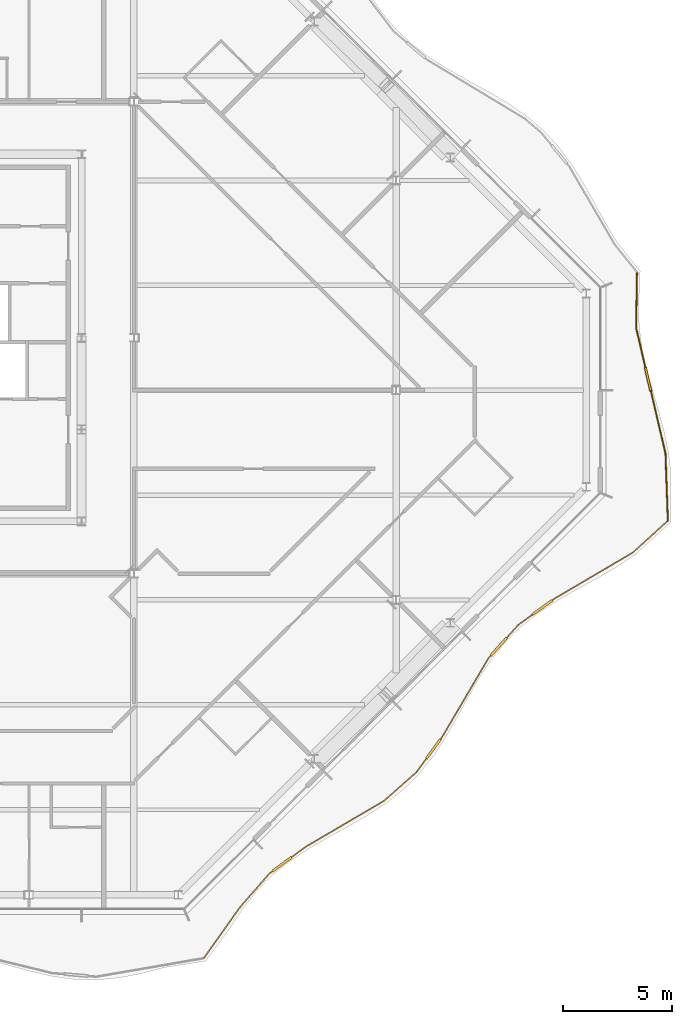
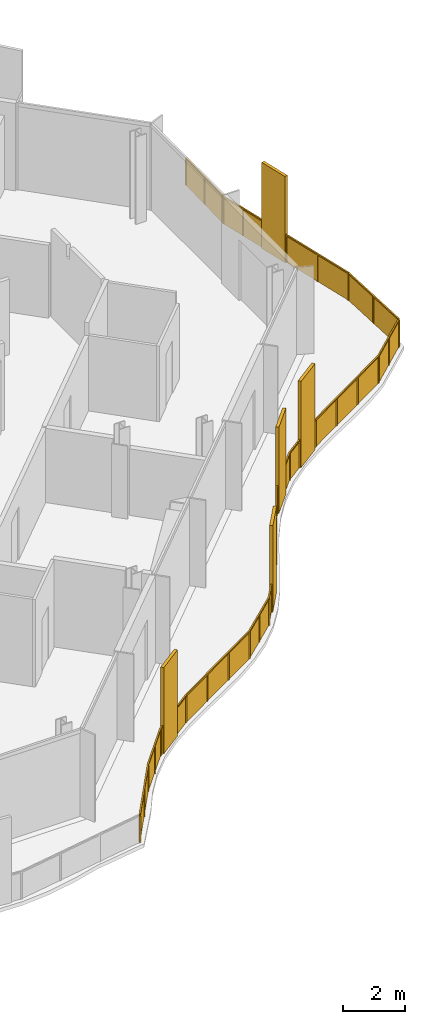
# One storey, part 15 of 17: 2 railings.
"""IFC4 building model written with IfcOpenShell, lengths in metres."""

from ifc_helpers import new_model, si_unit, direction, frame, origin, origin_2d, place, context, subcontext, project, spatial, polyline, rectangle, outline, extrude, material, type_object, element, save


model = new_model("IFC4")

# Units and contexts
model_context = context("Model", 3, precision=1e-05, world=origin(), true_north=direction((0.0, 1.0)))
body_context = subcontext(model_context, "Body", "Model", "MODEL_VIEW")
ifc_project = project(units=[si_unit("LENGTHUNIT", "METRE"), si_unit("AREAUNIT", "SQUARE_METRE"), si_unit("VOLUMEUNIT", "CUBIC_METRE"), si_unit("PLANEANGLEUNIT", "RADIAN"), si_unit("MASSUNIT", "GRAM", prefix="KILO")], contexts=[model_context])

# Site, building, storey
site_placement = place(None, origin())
site = spatial("IfcSite", under=ifc_project, at=site_placement, CompositionType="ELEMENT")
building_placement = place(site_placement, origin())
building = spatial("IfcBuilding", under=site, at=building_placement, Name="Cairn Pilgrim Tower", CompositionType="ELEMENT")
storey_placement = place(building_placement, frame((0.0, 0.0, 270.60009765625)))
storey = spatial("IfcBuildingStorey", under=building, at=storey_placement, Name="L69", CompositionType="ELEMENT", Elevation=270.60009765625)

# Railings
ifc_material = material(Name="Bronze anodised aluminium rail, posts and fin screens with laminated glass infill", Category="aluminium")
railing_type = type_object("IfcRailingType", Name="BALCONY GUARD WITH FIN SCREENS", PredefinedType="GUARDRAIL", material=ifc_material)
railing_1_placement = place(storey_placement, frame((22.39697265625, -25.995361328125, 0.0)))
element("IfcRailing", 1, at=railing_1_placement, inside=storey, type_object=railing_type, Name="Balcony guard BGF-1 with fin screens", PredefinedType="GUARDRAIL", context=body_context, shape_type="SweptSolid", body=[
    extrude(rectangle(XDim=0.050048828125, YDim=0.050048828125, at=origin_2d()), frame((0.0, 0.0, 1.0751953125), z_axis=(0.578783354329, 0.815481347887, 0.0), x_axis=(-0.815481347887, 0.578783354329, 0.0)), (0.0, 0.0, 1.0), 2.8818359375),
    extrude(rectangle(XDim=0.050048828125, YDim=0.050048828125, at=origin_2d()), frame((1.66796875, 2.35009765625, 1.0751953125), z_axis=(0.659647849756, 0.75157482283, 0.0), x_axis=(-0.75157482283, 0.659647849756, 0.0)), (0.0, 0.0, 1.0), 2.03955078125),
    extrude(rectangle(XDim=1.10009765625, YDim=0.110107421875, at=origin_2d()), frame((3.577392578125, 4.2978515625, 0.0), z_axis=(0.0, 0.0, 1.0), x_axis=(0.805684303803, 0.592345171842, 0.0)), (0.0, 0.0, 1.0), 3.39990234375),
    extrude(rectangle(XDim=0.050048828125, YDim=0.050048828125, at=origin_2d()), frame((3.013427734375, 3.883056640625, 1.0751953125), z_axis=(0.805684303803, 0.592345171842, 0.0), x_axis=(-0.592345171842, 0.805684303803, 0.0)), (0.0, 0.0, 1.0), 0.150146484375),
    extrude(rectangle(XDim=0.050048828125, YDim=0.050048828125, at=origin_2d()), frame((4.0205078125, 4.62353515625, 1.0751953125), z_axis=(0.805684303803, 0.592345171842, 0.0), x_axis=(-0.592345171842, 0.805684303803, 0.0)), (0.0, 0.0, 1.0), 0.80859375),
    extrude(rectangle(XDim=0.050048828125, YDim=0.050048828125, at=origin_2d()), frame((4.672119140625, 5.1025390625, 1.0751953125), z_axis=(0.862665224237, 0.505775356153, 0.0), x_axis=(-0.505775356153, 0.862665224237, 0.0)), (0.0, 0.0, 1.0), 4.150390625),
    extrude(rectangle(XDim=0.050048828125, YDim=0.050048828125, at=origin_2d()), frame((8.25244140625, 7.20166015625, 1.0751953125), z_axis=(0.748284466203, 0.663377990018, 0.0), x_axis=(-0.663377990018, 0.748284466203, 0.0)), (0.0, 0.0, 1.0), 1.984130859375),
    extrude(rectangle(XDim=1.10009765625, YDim=0.110107421875, at=origin_2d()), frame((10.510009765625, 9.578369140625, 0.0), z_axis=(0.0, 0.0, 1.0), x_axis=(0.588936142076, 0.808179571975, 0.0)), (0.0, 0.0, 1.0), 3.39990234375),
    extrude(rectangle(XDim=0.050048828125, YDim=0.050048828125, at=origin_2d()), frame((9.737060546875, 8.517822265625, 1.0751953125), z_axis=(0.588936142076, 0.808179571975, 0.0), x_axis=(-0.808179571975, 0.588936142076, 0.0)), (0.0, 0.0, 1.0), 0.762451171875),
    extrude(rectangle(XDim=0.050048828125, YDim=0.050048828125, at=origin_2d()), frame((10.833984375, 10.02294921875, 1.0751953125), z_axis=(0.588936142076, 0.808179571975, 0.0), x_axis=(-0.808179571975, 0.588936142076, 0.0)), (0.0, 0.0, 1.0), 0.14990234375),
    extrude(rectangle(XDim=0.050048828125, YDim=0.050048828125, at=origin_2d()), frame((10.922119140625, 10.14404296875, 1.0751953125), z_axis=(0.506471677484, 0.862256597485, 0.0), x_axis=(-0.862256597485, 0.506471677484, 0.0)), (0.0, 0.0, 1.0), 4.163818359375),
    extrude(rectangle(XDim=1.10009765625, YDim=0.110107421875, at=origin_2d()), frame((13.498046875, 14.256103515625, 0.0), z_axis=(0.0, 0.0, 1.0), x_axis=(0.667129688125, 0.744941594504, 0.0)), (0.0, 0.0, 1.0), 3.39990234375),
    extrude(rectangle(XDim=0.050048828125, YDim=0.050048828125, at=origin_2d()), frame((13.031005859375, 13.734375, 1.0751953125), z_axis=(0.667129688125, 0.744941594504, 0.0), x_axis=(-0.744941594504, 0.667129688125, 0.0)), (0.0, 0.0, 1.0), 0.150146484375),
    extrude(rectangle(XDim=0.050048828125, YDim=0.050048828125, at=origin_2d()), frame((13.864990234375, 14.665771484375, 1.0751953125), z_axis=(0.667129688125, 0.744941594504, 0.0), x_axis=(-0.744941594504, 0.667129688125, 0.0)), (0.0, 0.0, 1.0), 0.79541015625),
    extrude(rectangle(XDim=1.10009765625, YDim=0.110107421875, at=origin_2d()), frame((15.49853515625, 16.054931640625, 0.0), z_axis=(0.0, 0.0, 1.0), x_axis=(0.810607357659, 0.585590054312, 0.0)), (0.0, 0.0, 1.0), 3.39990234375),
    extrude(rectangle(XDim=0.050048828125, YDim=0.050048828125, at=origin_2d()), frame((14.395751953125, 15.25830078125, 1.0751953125), z_axis=(0.810607357659, 0.585590054312, 0.0), x_axis=(-0.585590054312, 0.810607357659, 0.0)), (0.0, 0.0, 1.0), 0.810546875),
    extrude(rectangle(XDim=0.050048828125, YDim=0.050048828125, at=origin_2d()), frame((15.9443359375, 16.377197265625, 1.0751953125), z_axis=(0.810607357659, 0.585590054312, 0.0), x_axis=(-0.585590054312, 0.810607357659, 0.0)), (0.0, 0.0, 1.0), 0.14990234375),
    extrude(rectangle(XDim=0.050048828125, YDim=0.050048828125, at=origin_2d()), frame((16.06591796875, 16.46484375, 1.0751953125), z_axis=(0.861810091445, 0.507231077798, 0.0), x_axis=(-0.507231077798, 0.861810091445, 0.0)), (0.0, 0.0, 1.0), 4.14697265625),
    extrude(rectangle(XDim=0.050048828125, YDim=0.050048828125, at=origin_2d()), frame((19.639892578125, 18.568359375, 1.0751953125), z_axis=(0.740055733215, 0.672545546216, 0.0), x_axis=(-0.672545546216, 0.740055733215, 0.0)), (0.0, 0.0, 1.0), 2.10107421875),
    extrude(rectangle(XDim=0.050048828125, YDim=0.050048828125, at=origin_2d()), origin(), (0.0, 0.0, 1.0), 1.050048828125),
    extrude(rectangle(XDim=0.050048828125, YDim=0.050048828125, at=origin_2d()), frame((0.833984375, 1.175048828125, 0.0)), (0.0, 0.0, 1.0), 1.050048828125),
    extrude(rectangle(XDim=0.050048828125, YDim=0.050048828125, at=origin_2d()), frame((1.66796875, 2.35009765625, 0.0)), (0.0, 0.0, 1.0), 1.050048828125),
    extrude(rectangle(XDim=0.050048828125, YDim=0.050048828125, at=origin_2d()), frame((2.3408203125, 3.11669921875, 0.0)), (0.0, 0.0, 1.0), 1.050048828125),
    extrude(rectangle(XDim=0.050048828125, YDim=0.050048828125, at=origin_2d()), frame((3.013427734375, 3.883056640625, 0.0)), (0.0, 0.0, 1.0), 1.050048828125),
    extrude(rectangle(XDim=0.050048828125, YDim=0.050048828125, at=origin_2d()), frame((3.1142578125, 3.95703125, 0.0)), (0.0, 0.0, 1.0), 1.050048828125),
    extrude(rectangle(XDim=0.050048828125, YDim=0.050048828125, at=origin_2d()), frame((4.040771484375, 4.638427734375, 0.0)), (0.0, 0.0, 1.0), 1.050048828125),
    extrude(rectangle(XDim=0.050048828125, YDim=0.050048828125, at=origin_2d()), frame((4.672119140625, 5.1025390625, 0.0)), (0.0, 0.0, 1.0), 1.050048828125),
    extrude(rectangle(XDim=0.050048828125, YDim=0.050048828125, at=origin_2d()), frame((5.865478515625, 5.80224609375, 0.0)), (0.0, 0.0, 1.0), 1.050048828125),
    extrude(rectangle(XDim=0.050048828125, YDim=0.050048828125, at=origin_2d()), frame((7.05908203125, 6.501953125, 0.0)), (0.0, 0.0, 1.0), 1.050048828125),
    extrude(rectangle(XDim=0.050048828125, YDim=0.050048828125, at=origin_2d()), frame((8.25244140625, 7.20166015625, 0.0)), (0.0, 0.0, 1.0), 1.050048828125),
    extrude(rectangle(XDim=0.050048828125, YDim=0.050048828125, at=origin_2d()), frame((8.99462890625, 7.85986328125, 0.0)), (0.0, 0.0, 1.0), 1.050048828125),
    extrude(rectangle(XDim=0.050048828125, YDim=0.050048828125, at=origin_2d()), frame((9.737060546875, 8.517822265625, 0.0)), (0.0, 0.0, 1.0), 1.050048828125),
    extrude(rectangle(XDim=0.050048828125, YDim=0.050048828125, at=origin_2d()), frame((10.17138671875, 9.11376953125, 0.0)), (0.0, 0.0, 1.0), 1.050048828125),
    extrude(rectangle(XDim=0.050048828125, YDim=0.050048828125, at=origin_2d()), frame((10.8486328125, 10.043212890625, 0.0)), (0.0, 0.0, 1.0), 1.050048828125),
    extrude(rectangle(XDim=0.050048828125, YDim=0.050048828125, at=origin_2d()), frame((10.922119140625, 10.14404296875, 0.0)), (0.0, 0.0, 1.0), 1.050048828125),
    extrude(rectangle(XDim=0.050048828125, YDim=0.050048828125, at=origin_2d()), frame((11.625, 11.3408203125, 0.0)), (0.0, 0.0, 1.0), 1.050048828125),
    extrude(rectangle(XDim=0.050048828125, YDim=0.050048828125, at=origin_2d()), frame((12.328125, 12.53759765625, 0.0)), (0.0, 0.0, 1.0), 1.050048828125),
    extrude(rectangle(XDim=0.050048828125, YDim=0.050048828125, at=origin_2d()), frame((13.031005859375, 13.734375, 0.0)), (0.0, 0.0, 1.0), 1.050048828125),
    extrude(rectangle(XDim=0.050048828125, YDim=0.050048828125, at=origin_2d()), frame((13.114501953125, 13.82763671875, 0.0)), (0.0, 0.0, 1.0), 1.050048828125),
    extrude(rectangle(XDim=0.050048828125, YDim=0.050048828125, at=origin_2d()), frame((13.8818359375, 14.684326171875, 0.0)), (0.0, 0.0, 1.0), 1.050048828125),
    extrude(rectangle(XDim=0.050048828125, YDim=0.050048828125, at=origin_2d()), frame((14.395751953125, 15.25830078125, 0.0)), (0.0, 0.0, 1.0), 1.050048828125),
    extrude(rectangle(XDim=0.050048828125, YDim=0.050048828125, at=origin_2d()), frame((15.032470703125, 15.71826171875, 0.0)), (0.0, 0.0, 1.0), 1.050048828125),
    extrude(rectangle(XDim=0.050048828125, YDim=0.050048828125, at=origin_2d()), frame((15.96484375, 16.391845703125, 0.0)), (0.0, 0.0, 1.0), 1.050048828125),
    extrude(rectangle(XDim=0.050048828125, YDim=0.050048828125, at=origin_2d()), frame((16.06591796875, 16.46484375, 0.0)), (0.0, 0.0, 1.0), 1.050048828125),
    extrude(rectangle(XDim=0.050048828125, YDim=0.050048828125, at=origin_2d()), frame((17.25732421875, 17.166015625, 0.0)), (0.0, 0.0, 1.0), 1.050048828125),
    extrude(rectangle(XDim=0.050048828125, YDim=0.050048828125, at=origin_2d()), frame((18.448486328125, 17.8671875, 0.0)), (0.0, 0.0, 1.0), 1.050048828125),
    extrude(rectangle(XDim=0.050048828125, YDim=0.050048828125, at=origin_2d()), frame((19.639892578125, 18.568359375, 0.0)), (0.0, 0.0, 1.0), 1.050048828125),
    extrude(rectangle(XDim=0.050048828125, YDim=0.050048828125, at=origin_2d()), frame((20.41748046875, 19.27490234375, 0.0)), (0.0, 0.0, 1.0), 1.050048828125),
    extrude(rectangle(XDim=0.050048828125, YDim=0.050048828125, at=origin_2d()), frame((21.19482421875, 19.9814453125, 0.0)), (0.0, 0.0, 1.0), 1.050048828125),
    extrude(outline(polyline([(0.02490234375, 0.0), (1.416015625, 0.0), (1.416015625, 1.050048828125), (0.02490234375, 1.050048828125), (0.02490234375, 0.0)])), frame((-0.0048828125, 0.00341796875, 0.0), z_axis=(0.815481347887, -0.578783354329, 0.0), x_axis=(0.578783354329, 0.815481347887, 0.0)), (0.0, 0.0, 1.0), 0.011962890625),
    extrude(outline(polyline([(0.02490234375, 0.0), (1.416015625, 0.0), (1.416015625, 1.050048828125), (0.02490234375, 1.050048828125), (0.02490234375, 0.0)])), frame((0.8291015625, 1.178466796875, 0.0), z_axis=(0.815481347887, -0.578783354329, 0.0), x_axis=(0.578783354329, 0.815481347887, 0.0)), (0.0, 0.0, 1.0), 0.011962890625),
    extrude(outline(polyline([(0.02490234375, 0.0), (0.994873046875, 0.0), (0.994873046875, 1.050048828125), (0.02490234375, 1.050048828125), (0.02490234375, 0.0)])), frame((1.66357421875, 2.35400390625, 0.0), z_axis=(0.75157482283, -0.659647849756, 0.0), x_axis=(0.659647849756, 0.75157482283, 0.0)), (0.0, 0.0, 1.0), 0.011962890625),
    extrude(outline(polyline([(0.02490234375, 0.0), (0.994873046875, 0.0), (0.994873046875, 1.050048828125), (0.02490234375, 1.050048828125), (0.02490234375, 0.0)])), frame((2.336181640625, 3.12060546875, 0.0), z_axis=(0.75157482283, -0.659647849756, 0.0), x_axis=(0.659647849756, 0.75157482283, 0.0)), (0.0, 0.0, 1.0), 0.011962890625),
    extrude(outline(polyline([(0.02490234375, 0.0), (0.10009765625, 0.0), (0.10009765625, 1.050048828125), (0.02490234375, 1.050048828125), (0.02490234375, 0.0)])), frame((3.009765625, 3.887939453125, 0.0), z_axis=(0.592345171842, -0.805684303803, 0.0), x_axis=(0.805684303803, 0.592345171842, 0.0)), (0.0, 0.0, 1.0), 0.011962890625),
    extrude(outline(polyline([(0.02490234375, 0.0), (0.758544921875, 0.0), (0.758544921875, 1.050048828125), (0.02490234375, 1.050048828125), (0.02490234375, 0.0)])), frame((4.037109375, 4.64306640625, 0.0), z_axis=(0.592345171842, -0.805684303803, 0.0), x_axis=(0.805684303803, 0.592345171842, 0.0)), (0.0, 0.0, 1.0), 0.011962890625),
    extrude(outline(polyline([(0.02490234375, 0.0), (1.3583984375, 0.0), (1.3583984375, 1.050048828125), (0.02490234375, 1.050048828125), (0.02490234375, 0.0)])), frame((4.669189453125, 5.107666015625, 0.0), z_axis=(0.505775356153, -0.862665224237, 0.0), x_axis=(0.862665224237, 0.505775356153, 0.0)), (0.0, 0.0, 1.0), 0.011962890625),
    extrude(outline(polyline([(0.02490234375, 0.0), (1.3583984375, 0.0), (1.3583984375, 1.050048828125), (0.02490234375, 1.050048828125), (0.02490234375, 0.0)])), frame((5.862548828125, 5.807373046875, 0.0), z_axis=(0.505775356153, -0.862665224237, 0.0), x_axis=(0.862665224237, 0.505775356153, 0.0)), (0.0, 0.0, 1.0), 0.011962890625),
    extrude(outline(polyline([(0.02490234375, 0.0), (1.3583984375, 0.0), (1.3583984375, 1.050048828125), (0.02490234375, 1.050048828125), (0.02490234375, 0.0)])), frame((7.055908203125, 6.507080078125, 0.0), z_axis=(0.505775356153, -0.862665224237, 0.0), x_axis=(0.862665224237, 0.505775356153, 0.0)), (0.0, 0.0, 1.0), 0.011962890625),
    extrude(outline(polyline([(0.02490234375, 0.0), (0.967041015625, 0.0), (0.967041015625, 1.050048828125), (0.02490234375, 1.050048828125), (0.02490234375, 0.0)])), frame((8.24853515625, 7.2060546875, 0.0), z_axis=(0.663377990018, -0.748284466203, 0.0), x_axis=(0.748284466203, 0.663377990018, 0.0)), (0.0, 0.0, 1.0), 0.011962890625),
    extrude(outline(polyline([(0.02490234375, 0.0), (0.967041015625, 0.0), (0.967041015625, 1.050048828125), (0.02490234375, 1.050048828125), (0.02490234375, 0.0)])), frame((8.99072265625, 7.8642578125, 0.0), z_axis=(0.663377990018, -0.748284466203, 0.0), x_axis=(0.748284466203, 0.663377990018, 0.0)), (0.0, 0.0, 1.0), 0.011962890625),
    extrude(outline(polyline([(0.02490234375, 0.0), (0.71240234375, 0.0), (0.71240234375, 1.050048828125), (0.02490234375, 1.050048828125), (0.02490234375, 0.0)])), frame((9.732177734375, 8.521240234375, 0.0), z_axis=(0.808179571975, -0.588936142076, 0.0), x_axis=(0.588936142076, 0.808179571975, 0.0)), (0.0, 0.0, 1.0), 0.011962890625),
    extrude(outline(polyline([(0.02490234375, 0.0), (0.099853515625, 0.0), (0.099853515625, 1.050048828125), (0.02490234375, 1.050048828125), (0.02490234375, 0.0)])), frame((10.84375, 10.046630859375, 0.0), z_axis=(0.808179571975, -0.588936142076, 0.0), x_axis=(0.588936142076, 0.808179571975, 0.0)), (0.0, 0.0, 1.0), 0.011962890625),
    extrude(outline(polyline([(0.02490234375, 0.0), (1.363037109375, 0.0), (1.363037109375, 1.050048828125), (0.02490234375, 1.050048828125), (0.02490234375, 0.0)])), frame((10.9169921875, 10.14697265625, 0.0), z_axis=(0.862256597485, -0.506471677484, 0.0), x_axis=(0.506471677484, 0.862256597485, 0.0)), (0.0, 0.0, 1.0), 0.011962890625),
    extrude(outline(polyline([(0.02490234375, 0.0), (1.363037109375, 0.0), (1.363037109375, 1.050048828125), (0.02490234375, 1.050048828125), (0.02490234375, 0.0)])), frame((11.619873046875, 11.34375, 0.0), z_axis=(0.862256597485, -0.506471677484, 0.0), x_axis=(0.506471677484, 0.862256597485, 0.0)), (0.0, 0.0, 1.0), 0.011962890625),
    extrude(outline(polyline([(0.02490234375, 0.0), (1.363037109375, 0.0), (1.363037109375, 1.050048828125), (0.02490234375, 1.050048828125), (0.02490234375, 0.0)])), frame((12.322998046875, 12.54052734375, 0.0), z_axis=(0.862256597485, -0.506471677484, 0.0), x_axis=(0.506471677484, 0.862256597485, 0.0)), (0.0, 0.0, 1.0), 0.011962890625),
    extrude(outline(polyline([(0.02490234375, 0.0), (0.10009765625, 0.0), (0.10009765625, 1.050048828125), (0.02490234375, 1.050048828125), (0.02490234375, 0.0)])), frame((13.026611328125, 13.73828125, 0.0), z_axis=(0.744941594504, -0.667129688125, 0.0), x_axis=(0.667129688125, 0.744941594504, 0.0)), (0.0, 0.0, 1.0), 0.011962890625),
    extrude(outline(polyline([(0.02490234375, 0.0), (0.745361328125, 0.0), (0.745361328125, 1.050048828125), (0.02490234375, 1.050048828125), (0.02490234375, 0.0)])), frame((13.877197265625, 14.6884765625, 0.0), z_axis=(0.744941594504, -0.667129688125, 0.0), x_axis=(0.667129688125, 0.744941594504, 0.0)), (0.0, 0.0, 1.0), 0.011962890625),
    extrude(outline(polyline([(0.02490234375, 0.0), (0.760498046875, 0.0), (0.760498046875, 1.050048828125), (0.02490234375, 1.050048828125), (0.02490234375, 0.0)])), frame((14.392333984375, 15.26318359375, 0.0), z_axis=(0.585590054312, -0.810607357659, 0.0), x_axis=(0.810607357659, 0.585590054312, 0.0)), (0.0, 0.0, 1.0), 0.011962890625),
    extrude(outline(polyline([(0.02490234375, 0.0), (0.099853515625, 0.0), (0.099853515625, 1.050048828125), (0.02490234375, 1.050048828125), (0.02490234375, 0.0)])), frame((15.961181640625, 16.396484375, 0.0), z_axis=(0.585590054312, -0.810607357659, 0.0), x_axis=(0.810607357659, 0.585590054312, 0.0)), (0.0, 0.0, 1.0), 0.011962890625),
    extrude(outline(polyline([(0.02490234375, 0.0), (1.357421875, 0.0), (1.357421875, 1.050048828125), (0.02490234375, 1.050048828125), (0.02490234375, 0.0)])), frame((16.06298828125, 16.469970703125, 0.0), z_axis=(0.507231077798, -0.861810091445, 0.0), x_axis=(0.861810091445, 0.507231077798, 0.0)), (0.0, 0.0, 1.0), 0.011962890625),
    extrude(outline(polyline([(0.02490234375, 0.0), (1.357421875, 0.0), (1.357421875, 1.050048828125), (0.02490234375, 1.050048828125), (0.02490234375, 0.0)])), frame((17.254150390625, 17.171142578125, 0.0), z_axis=(0.507231077798, -0.861810091445, 0.0), x_axis=(0.861810091445, 0.507231077798, 0.0)), (0.0, 0.0, 1.0), 0.011962890625),
    extrude(outline(polyline([(0.02490234375, 0.0), (1.357421875, 0.0), (1.357421875, 1.050048828125), (0.02490234375, 1.050048828125), (0.02490234375, 0.0)])), frame((18.445556640625, 17.872314453125, 0.0), z_axis=(0.507231077798, -0.861810091445, 0.0), x_axis=(0.861810091445, 0.507231077798, 0.0)), (0.0, 0.0, 1.0), 0.011962890625),
    extrude(outline(polyline([(0.02490234375, 0.0), (1.025634765625, 0.0), (1.025634765625, 1.050048828125), (0.02490234375, 1.050048828125), (0.02490234375, 0.0)])), frame((19.635986328125, 18.57275390625, 0.0), z_axis=(0.672545546216, -0.740055733215, 0.0), x_axis=(0.740055733215, 0.672545546216, 0.0)), (0.0, 0.0, 1.0), 0.011962890625),
    extrude(outline(polyline([(0.02490234375, 0.0), (1.025634765625, 0.0), (1.025634765625, 1.050048828125), (0.02490234375, 1.050048828125), (0.02490234375, 0.0)])), frame((20.413330078125, 19.279296875, 0.0), z_axis=(0.672545546216, -0.740055733215, 0.0), x_axis=(0.740055733215, 0.672545546216, 0.0)), (0.0, 0.0, 1.0), 0.011962890625),
])
railing_2_placement = place(storey_placement, frame((43.63623046875, -5.9736328125, 0.0)))
element("IfcRailing", 2, at=railing_2_placement, inside=storey, type_object=railing_type, Name="Balcony guard BGF-2 with fin screens", PredefinedType="GUARDRAIL", context=body_context, shape_type="SweptSolid", body=[
    extrude(rectangle(XDim=0.050048828125, YDim=0.050048828125, at=origin_2d()), frame((0.0, 0.0, 1.0751953125), z_axis=(-0.035006330972, 0.999387090567, 0.0), x_axis=(-0.999387090567, -0.035006330972, 0.0)), (0.0, 0.0, 1.0), 3.07568359375),
    extrude(rectangle(XDim=1.10009765625, YDim=0.110107421875, at=origin_2d()), frame((-0.9033203125, 6.483154296875, 0.0), z_axis=(0.0, 0.0, 1.0), x_axis=(-0.227238743324, 0.973839079896, 0.0)), (0.0, 0.0, 1.0), 3.39990234375),
    extrude(rectangle(XDim=0.050048828125, YDim=0.050048828125, at=origin_2d()), frame((-0.107666015625, 3.07373046875, 1.0751953125), z_axis=(-0.227238743324, 0.973839079896, 0.0), x_axis=(-0.973839079896, -0.227238743324, 0.0)), (0.0, 0.0, 1.0), 2.950927734375),
    extrude(rectangle(XDim=0.050048828125, YDim=0.050048828125, at=origin_2d()), frame((-1.0283203125, 7.018798828125, 1.0751953125), z_axis=(-0.227238743324, 0.973839079896, 0.0), x_axis=(-0.973839079896, -0.227238743324, 0.0)), (0.0, 0.0, 1.0), 1.86767578125),
    extrude(rectangle(XDim=0.050048828125, YDim=0.050048828125, at=origin_2d()), frame((-1.45263671875, 8.837646484375, 1.0751953125), z_axis=(0.016163486981, 0.999869362311, 0.0), x_axis=(-0.999869362311, 0.016163486981, 0.0)), (0.0, 0.0, 1.0), 2.47705078125),
    extrude(rectangle(XDim=0.050048828125, YDim=0.050048828125, at=origin_2d()), origin(), (0.0, 0.0, 1.0), 1.050048828125),
    extrude(rectangle(XDim=0.050048828125, YDim=0.050048828125, at=origin_2d()), frame((-0.053955078125, 1.536865234375, 0.0)), (0.0, 0.0, 1.0), 1.050048828125),
    extrude(rectangle(XDim=0.050048828125, YDim=0.050048828125, at=origin_2d()), frame((-0.107666015625, 3.07373046875, 0.0)), (0.0, 0.0, 1.0), 1.050048828125),
    extrude(rectangle(XDim=0.050048828125, YDim=0.050048828125, at=origin_2d()), frame((-0.440185546875, 4.49853515625, 0.0)), (0.0, 0.0, 1.0), 1.050048828125),
    extrude(rectangle(XDim=0.050048828125, YDim=0.050048828125, at=origin_2d()), frame((-0.7724609375, 5.923095703125, 0.0)), (0.0, 0.0, 1.0), 1.050048828125),
    extrude(rectangle(XDim=0.050048828125, YDim=0.050048828125, at=origin_2d()), frame((-1.033935546875, 7.043212890625, 0.0)), (0.0, 0.0, 1.0), 1.050048828125),
    extrude(rectangle(XDim=0.050048828125, YDim=0.050048828125, at=origin_2d()), frame((-1.2431640625, 7.9404296875, 0.0)), (0.0, 0.0, 1.0), 1.050048828125),
    extrude(rectangle(XDim=0.050048828125, YDim=0.050048828125, at=origin_2d()), frame((-1.45263671875, 8.837646484375, 0.0)), (0.0, 0.0, 1.0), 1.050048828125),
    extrude(rectangle(XDim=0.050048828125, YDim=0.050048828125, at=origin_2d()), frame((-1.4326171875, 10.076171875, 0.0)), (0.0, 0.0, 1.0), 1.050048828125),
    extrude(rectangle(XDim=0.050048828125, YDim=0.050048828125, at=origin_2d()), frame((-1.41259765625, 11.314453125, 0.0)), (0.0, 0.0, 1.0), 1.050048828125),
    extrude(outline(polyline([(0.02490234375, 0.0), (1.5126953125, 0.0), (1.5126953125, 1.050048828125), (0.02490234375, 1.050048828125), (0.02490234375, 0.0)])), frame((-0.005859375, -0.000244140625, 0.0), z_axis=(0.999387090567, 0.035006330972, 0.0), x_axis=(-0.035006330972, 0.999387090567, 0.0)), (0.0, 0.0, 1.0), 0.011962890625),
    extrude(outline(polyline([(0.02490234375, 0.0), (1.5126953125, 0.0), (1.5126953125, 1.050048828125), (0.02490234375, 1.050048828125), (0.02490234375, 0.0)])), frame((-0.059814453125, 1.53662109375, 0.0), z_axis=(0.999387090567, 0.035006330972, 0.0), x_axis=(-0.035006330972, 0.999387090567, 0.0)), (0.0, 0.0, 1.0), 0.011962890625),
    extrude(outline(polyline([(0.02490234375, 0.0), (1.43798828125, 0.0), (1.43798828125, 1.050048828125), (0.02490234375, 1.050048828125), (0.02490234375, 0.0)])), frame((-0.113525390625, 3.072265625, 0.0), z_axis=(0.973839079896, 0.227238743324, 0.0), x_axis=(-0.227238743324, 0.973839079896, 0.0)), (0.0, 0.0, 1.0), 0.011962890625),
    extrude(outline(polyline([(0.02490234375, 0.0), (1.43798828125, 0.0), (1.43798828125, 1.050048828125), (0.02490234375, 1.050048828125), (0.02490234375, 0.0)])), frame((-0.446044921875, 4.4970703125, 0.0), z_axis=(0.973839079896, 0.227238743324, 0.0), x_axis=(-0.227238743324, 0.973839079896, 0.0)), (0.0, 0.0, 1.0), 0.011962890625),
    extrude(outline(polyline([(0.02490234375, 0.0), (0.896240234375, 0.0), (0.896240234375, 1.050048828125), (0.02490234375, 1.050048828125), (0.02490234375, 0.0)])), frame((-1.039794921875, 7.041748046875, 0.0), z_axis=(0.973839079896, 0.227238743324, 0.0), x_axis=(-0.227238743324, 0.973839079896, 0.0)), (0.0, 0.0, 1.0), 0.011962890625),
    extrude(outline(polyline([(0.02490234375, 0.0), (0.896240234375, 0.0), (0.896240234375, 1.050048828125), (0.02490234375, 1.050048828125), (0.02490234375, 0.0)])), frame((-1.2490234375, 7.93896484375, 0.0), z_axis=(0.973839079896, 0.227238743324, 0.0), x_axis=(-0.227238743324, 0.973839079896, 0.0)), (0.0, 0.0, 1.0), 0.011962890625),
    extrude(outline(polyline([(0.02490234375, 0.0), (1.213623046875, 0.0), (1.213623046875, 1.050048828125), (0.02490234375, 1.050048828125), (0.02490234375, 0.0)])), frame((-1.45849609375, 8.837646484375, 0.0), z_axis=(0.999869362311, -0.016163486981, 0.0), x_axis=(0.016163486981, 0.999869362311, 0.0)), (0.0, 0.0, 1.0), 0.011962890625),
    extrude(outline(polyline([(0.02490234375, 0.0), (1.213623046875, 0.0), (1.213623046875, 1.050048828125), (0.02490234375, 1.050048828125), (0.02490234375, 0.0)])), frame((-1.4384765625, 10.076171875, 0.0), z_axis=(0.999869362311, -0.016163486981, 0.0), x_axis=(0.016163486981, 0.999869362311, 0.0)), (0.0, 0.0, 1.0), 0.011962890625),
])

save(model, "model.ifc")
